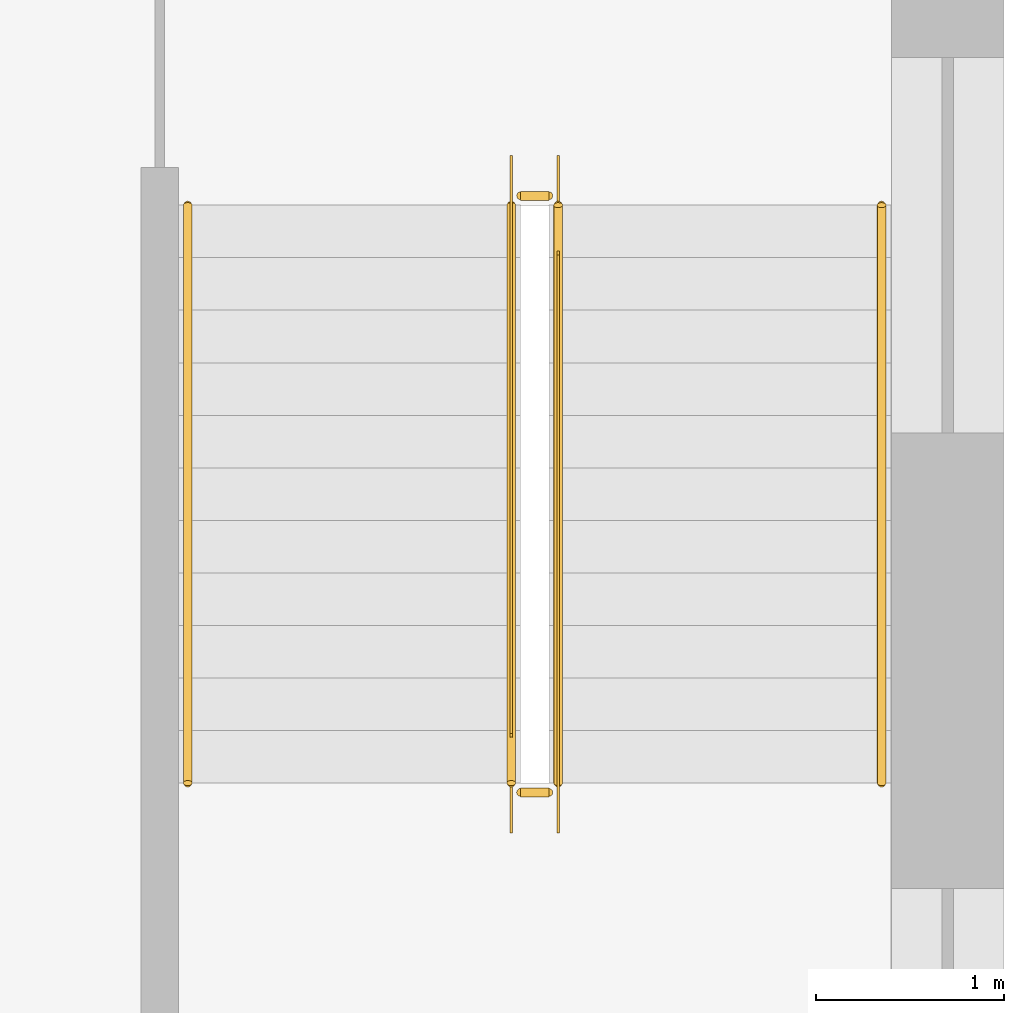
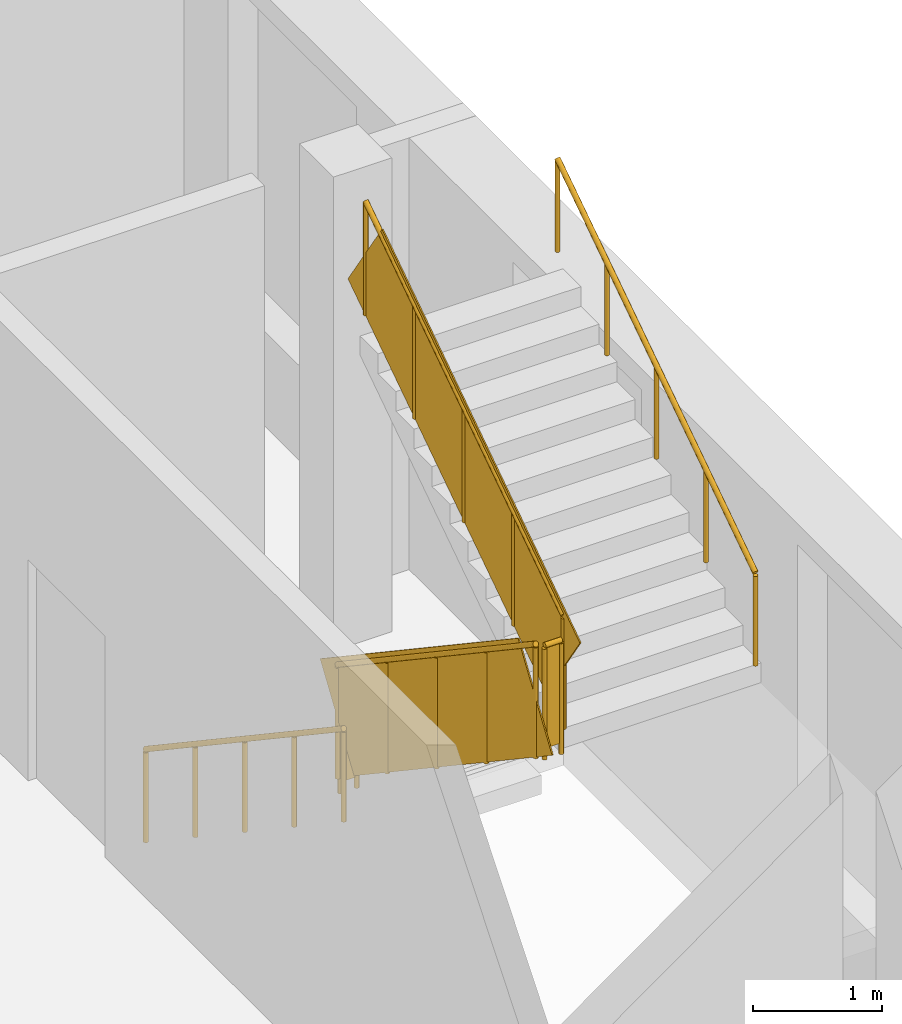
# One storey, part 18 of 20: 6 railings.
"""IFC4 building model written with IfcOpenShell, lengths in metres."""

from ifc_helpers import new_model, si_unit, direction, frame, origin, origin_2d, place, context, subcontext, project, spatial, rectangle, circle, extrude, material, type_object, element, save


model = new_model("IFC4")

# Units and contexts
model_context = context("Model", 3, precision=1e-05, world=origin(), true_north=direction((0.0, 1.0)))
body_context = subcontext(model_context, "Body", "Model", "MODEL_VIEW")
ifc_project = project(units=[si_unit("LENGTHUNIT", "METRE"), si_unit("AREAUNIT", "SQUARE_METRE"), si_unit("VOLUMEUNIT", "CUBIC_METRE"), si_unit("PLANEANGLEUNIT", "RADIAN"), si_unit("MASSUNIT", "GRAM", prefix="KILO")], contexts=[model_context])

# Site, building, storey
site_placement = place(None, origin())
site = spatial("IfcSite", under=ifc_project, at=site_placement, CompositionType="ELEMENT")
building_placement = place(site_placement, origin())
building = spatial("IfcBuilding", under=site, at=building_placement, Name="Dilmun Exchange Tower", CompositionType="ELEMENT")
storey_placement = place(building_placement, frame((0.0, 0.0, 9.0)))
storey = spatial("IfcBuildingStorey", under=building, at=storey_placement, Name="L02", CompositionType="ELEMENT", Elevation=9.0)

# Railings
ifc_material_1 = material(Name="Guard 1100")
railing_type_1 = type_object("IfcRailingType", Name="Guard 1100", PredefinedType="GUARDRAIL", material=ifc_material_1)
railing_1_placement = place(storey_placement, frame((33.3740234375, -2.0, 0.1875)))
element("IfcRailing", 1, at=railing_1_placement, inside=storey, type_object=railing_type_1, Name="L02 PS3 stair guard 1", PredefinedType="GUARDRAIL", context=body_context, shape_type="SweptSolid", body=[
    extrude(circle(Radius=0.02392578125, at=origin_2d()), frame((0.0, 0.0, 1.076171875), z_axis=(0.0, -0.830913701846, 0.55640131208), x_axis=(1.0, 0.0, 0.0)), (0.0, 0.0, 1.0), 3.706787109375),
    extrude(rectangle(XDim=0.011962890625, YDim=0.951904296875, at=origin_2d()), frame((0.0, 0.0, 0.576171875), z_axis=(0.0, -0.830913701846, 0.55640131208), x_axis=(1.0, 0.0, 0.0)), (0.0, 0.0, 1.0), 3.706787109375),
    extrude(circle(Radius=0.02099609375, at=origin_2d()), origin(), (0.0, 0.0, 1.0), 1.052001953125),
    extrude(circle(Radius=0.02099609375, at=origin_2d()), frame((0.0, -0.77001953125, 0.515625)), (0.0, 0.0, 1.0), 1.052001953125),
    extrude(circle(Radius=0.02099609375, at=origin_2d()), frame((0.0, -1.5400390625, 1.03125)), (0.0, 0.0, 1.0), 1.052001953125),
    extrude(circle(Radius=0.02099609375, at=origin_2d()), frame((0.0, -2.31005859375, 1.546875)), (0.0, 0.0, 1.0), 1.052001953125),
    extrude(circle(Radius=0.02099609375, at=origin_2d()), frame((0.0, -3.080078125, 2.0625)), (0.0, 0.0, 1.0), 1.052001953125),
])
railing_2_placement = place(storey_placement, frame((33.424072265625, -5.1298828125, 2.25)))
element("IfcRailing", 2, at=railing_2_placement, inside=storey, type_object=railing_type_1, Name="L02 PS3 stair guard 2", PredefinedType="GUARDRAIL", context=body_context, shape_type="SweptSolid", body=[
    extrude(circle(Radius=0.02392578125, at=origin_2d()), frame((0.0, 0.0, 1.076171875), z_axis=(1.0, 0.0, 0.0), x_axis=(0.0, 1.0, 0.0)), (0.0, 0.0, 1.0), 0.14990234375),
    extrude(rectangle(XDim=0.011962890625, YDim=0.951904296875, at=origin_2d()), frame((0.0, 0.0, 0.576171875), z_axis=(1.0, 0.0, 0.0), x_axis=(0.0, 1.0, 0.0)), (0.0, 0.0, 1.0), 0.14990234375),
    extrude(circle(Radius=0.02099609375, at=origin_2d()), origin(), (0.0, 0.0, 1.0), 1.052001953125),
    extrude(circle(Radius=0.02099609375, at=origin_2d()), frame((0.14990234375, 0.0, 0.0)), (0.0, 0.0, 1.0), 1.052001953125),
])
railing_3_placement = place(storey_placement, frame((33.6240234375, -5.080078125, 2.4375)))
element("IfcRailing", 3, at=railing_3_placement, inside=storey, type_object=railing_type_1, Name="L02 PS3 stair guard 3", PredefinedType="GUARDRAIL", context=body_context, shape_type="SweptSolid", body=[
    extrude(circle(Radius=0.02392578125, at=origin_2d()), frame((0.0, 0.0, 1.076171875), z_axis=(0.0, 0.830913701846, 0.55640131208), x_axis=(-1.0, 0.0, 0.0)), (0.0, 0.0, 1.0), 3.706787109375),
    extrude(rectangle(XDim=0.011962890625, YDim=0.951904296875, at=origin_2d()), frame((0.0, 0.0, 0.576171875), z_axis=(0.0, 0.830913701846, 0.55640131208), x_axis=(-1.0, 0.0, 0.0)), (0.0, 0.0, 1.0), 3.706787109375),
    extrude(circle(Radius=0.02099609375, at=origin_2d()), origin(), (0.0, 0.0, 1.0), 1.052001953125),
    extrude(circle(Radius=0.02099609375, at=origin_2d()), frame((0.0, 0.77001953125, 0.515625)), (0.0, 0.0, 1.0), 1.052001953125),
    extrude(circle(Radius=0.02099609375, at=origin_2d()), frame((0.0, 1.5400390625, 1.03125)), (0.0, 0.0, 1.0), 1.052001953125),
    extrude(circle(Radius=0.02099609375, at=origin_2d()), frame((0.0, 2.31005859375, 1.546875)), (0.0, 0.0, 1.0), 1.052001953125),
    extrude(circle(Radius=0.02099609375, at=origin_2d()), frame((0.0, 3.080078125, 2.0625)), (0.0, 0.0, 1.0), 1.052001953125),
])
railing_4_placement = place(storey_placement, frame((33.424072265625, -1.949951171875, 0.0)))
element("IfcRailing", 4, at=railing_4_placement, inside=storey, type_object=railing_type_1, Name="L02 PS3 stair guard 4", PredefinedType="GUARDRAIL", context=body_context, shape_type="SweptSolid", body=[
    extrude(circle(Radius=0.02392578125, at=origin_2d()), frame((0.0, 0.0, 1.076171875), z_axis=(1.0, 0.0, 0.0), x_axis=(0.0, 1.0, 0.0)), (0.0, 0.0, 1.0), 0.14990234375),
    extrude(rectangle(XDim=0.011962890625, YDim=0.951904296875, at=origin_2d()), frame((0.0, 0.0, 0.576171875), z_axis=(1.0, 0.0, 0.0), x_axis=(0.0, 1.0, 0.0)), (0.0, 0.0, 1.0), 0.14990234375),
    extrude(circle(Radius=0.02099609375, at=origin_2d()), origin(), (0.0, 0.0, 1.0), 1.052001953125),
    extrude(circle(Radius=0.02099609375, at=origin_2d()), frame((0.14990234375, 0.0, 0.0)), (0.0, 0.0, 1.0), 1.052001953125),
])
ifc_material_2 = material(Name="Handrail 900")
railing_type_2 = type_object("IfcRailingType", Name="Handrail 900", PredefinedType="HANDRAIL", material=ifc_material_2)
railing_5_placement = place(storey_placement, frame((31.64990234375, -2.0, 0.1875)))
element("IfcRailing", 5, at=railing_5_placement, inside=storey, type_object=railing_type_2, Name="L02 PS3 stair handrail 1", PredefinedType="HANDRAIL", context=body_context, shape_type="SweptSolid", body=[
    extrude(circle(Radius=0.02392578125, at=origin_2d()), frame((0.0, 0.0, 0.8759765625), z_axis=(0.0, -0.830913701846, 0.55640131208), x_axis=(1.0, 0.0, 0.0)), (0.0, 0.0, 1.0), 3.706787109375),
    extrude(circle(Radius=0.02099609375, at=origin_2d()), origin(), (0.0, 0.0, 1.0), 0.851806640625),
    extrude(circle(Radius=0.02099609375, at=origin_2d()), frame((0.0, -0.77001953125, 0.515625)), (0.0, 0.0, 1.0), 0.851806640625),
    extrude(circle(Radius=0.02099609375, at=origin_2d()), frame((0.0, -1.5400390625, 1.03125)), (0.0, 0.0, 1.0), 0.851806640625),
    extrude(circle(Radius=0.02099609375, at=origin_2d()), frame((0.0, -2.31005859375, 1.546875)), (0.0, 0.0, 1.0), 0.851806640625),
    extrude(circle(Radius=0.02099609375, at=origin_2d()), frame((0.0, -3.080078125, 2.0625)), (0.0, 0.0, 1.0), 0.851806640625),
])
railing_6_placement = place(storey_placement, frame((35.347900390625, -5.080078125, 2.4375)))
element("IfcRailing", 6, at=railing_6_placement, inside=storey, type_object=railing_type_2, Name="L02 PS3 stair handrail 2", PredefinedType="HANDRAIL", context=body_context, shape_type="SweptSolid", body=[
    extrude(circle(Radius=0.02392578125, at=origin_2d()), frame((0.0, 0.0, 0.8759765625), z_axis=(0.0, 0.830913701846, 0.55640131208), x_axis=(-1.0, 0.0, 0.0)), (0.0, 0.0, 1.0), 3.706787109375),
    extrude(circle(Radius=0.02099609375, at=origin_2d()), origin(), (0.0, 0.0, 1.0), 0.851806640625),
    extrude(circle(Radius=0.02099609375, at=origin_2d()), frame((0.0, 0.77001953125, 0.515625)), (0.0, 0.0, 1.0), 0.851806640625),
    extrude(circle(Radius=0.02099609375, at=origin_2d()), frame((0.0, 1.5400390625, 1.03125)), (0.0, 0.0, 1.0), 0.851806640625),
    extrude(circle(Radius=0.02099609375, at=origin_2d()), frame((0.0, 2.31005859375, 1.546875)), (0.0, 0.0, 1.0), 0.851806640625),
    extrude(circle(Radius=0.02099609375, at=origin_2d()), frame((0.0, 3.080078125, 2.0625)), (0.0, 0.0, 1.0), 0.851806640625),
])

save(model, "model.ifc")
